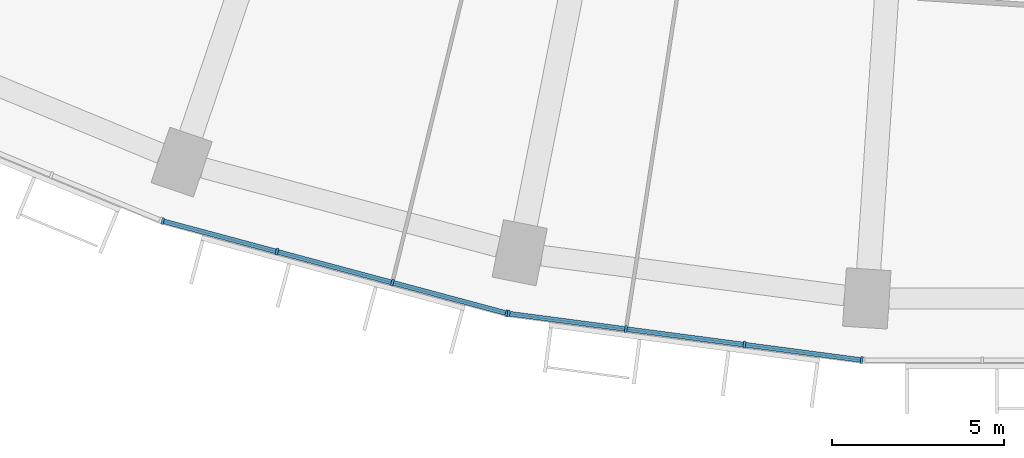
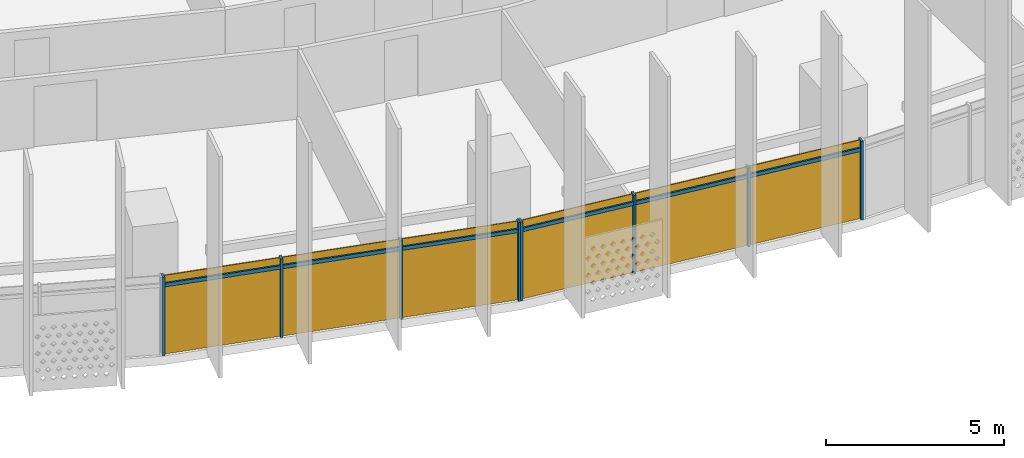
# One storey, part 20 of 33: 14 members, 2 curtain walls.
"""IFC4 building model written with IfcOpenShell, lengths in metres."""

from ifc_helpers import new_model, si_unit, direction, frame, origin, origin_2d, place, context, subcontext, project, spatial, rectangle, extrude, material, material_profile, profile_set, type_object, element, aggregate, save


model = new_model("IFC4")

# Units and contexts
model_context = context("Model", 3, precision=1e-05, world=origin(), true_north=direction((0.0, 1.0)))
body_context = subcontext(model_context, "Body", "Model", "MODEL_VIEW")
ifc_project = project(units=[si_unit("LENGTHUNIT", "METRE"), si_unit("AREAUNIT", "SQUARE_METRE"), si_unit("VOLUMEUNIT", "CUBIC_METRE"), si_unit("PLANEANGLEUNIT", "RADIAN"), si_unit("MASSUNIT", "GRAM", prefix="KILO")], contexts=[model_context])

# Member
ifc_material = material(Name="Aluminium 6063-T6 anodised", Category="aluminium")
ifc_material_profile_1 = material_profile(ifc_material, rectangle(XDim=0.199951171875, YDim=0.070068359375, at=origin_2d()))
ifc_profile_set_1 = profile_set([ifc_material_profile_1], Name="Aluminium 6063-T6 anodised")
member_type_1 = type_object("IfcMemberType", Name="Mullion 70 x 200 aluminium", PredefinedType="MULLION", material=ifc_profile_set_1)
site_placement = place(None, origin())
building_placement = place(site_placement, origin())
storey_placement = place(building_placement, frame((0.0, 0.0, 78.5)))
member_1_placement = place(storey_placement, frame((-25.54296875, -75.33544921875, 0.0), z_axis=(0.0, 0.0, 1.0), x_axis=(0.258819045103, 0.965925826289, 0.0)))
member_1 = element("IfcMember", 1, at=member_1_placement, type_object=member_type_1, Name="e-cw1-L16-out06/M00", PredefinedType="MULLION", context=body_context, shape_type="SweptSolid", body=[
    extrude(rectangle(XDim=0.199951171875, YDim=0.070068359375, at=origin_2d()), origin(), (0.0, 0.0, 1.0), 2.699951171875),
])

member_2_placement = place(storey_placement, frame((-22.22216796875, -76.225341796875, 0.0), z_axis=(0.0, 0.0, 1.0), x_axis=(0.258819045103, 0.965925826289, 0.0)))
member_2 = element("IfcMember", 2, at=member_2_placement, type_object=member_type_1, Name="e-cw1-L16-out06/M01", PredefinedType="MULLION", context=body_context, shape_type="SweptSolid", body=[
    extrude(rectangle(XDim=0.199951171875, YDim=0.070068359375, at=origin_2d()), origin(), (0.0, 0.0, 1.0), 2.699951171875),
])

member_3_placement = place(storey_placement, frame((-18.86767578125, -77.1240234375, 0.0), z_axis=(0.0, 0.0, 1.0), x_axis=(0.258819045103, 0.965925826289, 0.0)))
member_3 = element("IfcMember", 3, at=member_3_placement, type_object=member_type_1, Name="e-cw1-L16-out06/M02", PredefinedType="MULLION", context=body_context, shape_type="SweptSolid", body=[
    extrude(rectangle(XDim=0.199951171875, YDim=0.070068359375, at=origin_2d()), origin(), (0.0, 0.0, 1.0), 2.699951171875),
])

member_4_placement = place(storey_placement, frame((-15.546875, -78.013916015625, 0.0), z_axis=(0.0, 0.0, 1.0), x_axis=(0.258819045103, 0.965925826289, 0.0)))
member_4 = element("IfcMember", 4, at=member_4_placement, type_object=member_type_1, Name="e-cw1-L16-out06/M03", PredefinedType="MULLION", context=body_context, shape_type="SweptSolid", body=[
    extrude(rectangle(XDim=0.199951171875, YDim=0.070068359375, at=origin_2d()), origin(), (0.0, 0.0, 1.0), 2.699951171875),
])

member_5_placement = place(storey_placement, frame((-15.4912109375, -78.02490234375, 0.0), z_axis=(0.0, 0.0, 1.0), x_axis=(0.13052619222, 0.991444861374, 0.0)))
member_5 = element("IfcMember", 5, at=member_5_placement, type_object=member_type_1, Name="e-cw1-L16-out07/M00", PredefinedType="MULLION", context=body_context, shape_type="SweptSolid", body=[
    extrude(rectangle(XDim=0.199951171875, YDim=0.070068359375, at=origin_2d()), origin(), (0.0, 0.0, 1.0), 2.699951171875),
])

member_6_placement = place(storey_placement, frame((-12.082763671875, -78.4736328125, 0.0), z_axis=(0.0, 0.0, 1.0), x_axis=(0.13052619222, 0.991444861374, 0.0)))
member_6 = element("IfcMember", 6, at=member_6_placement, type_object=member_type_1, Name="e-cw1-L16-out07/M01", PredefinedType="MULLION", context=body_context, shape_type="SweptSolid", body=[
    extrude(rectangle(XDim=0.199951171875, YDim=0.070068359375, at=origin_2d()), origin(), (0.0, 0.0, 1.0), 2.699951171875),
])

member_7_placement = place(storey_placement, frame((-8.639404296875, -78.927001953125, 0.0), z_axis=(0.0, 0.0, 1.0), x_axis=(0.13052619222, 0.991444861374, 0.0)))
member_7 = element("IfcMember", 7, at=member_7_placement, type_object=member_type_1, Name="e-cw1-L16-out07/M02", PredefinedType="MULLION", context=body_context, shape_type="SweptSolid", body=[
    extrude(rectangle(XDim=0.199951171875, YDim=0.070068359375, at=origin_2d()), origin(), (0.0, 0.0, 1.0), 2.699951171875),
])

member_8_placement = place(storey_placement, frame((-5.23095703125, -79.375732421875, 0.0), z_axis=(0.0, 0.0, 1.0), x_axis=(0.13052619222, 0.991444861374, 0.0)))
member_8 = element("IfcMember", 8, at=member_8_placement, type_object=member_type_1, Name="e-cw1-L16-out07/M03", PredefinedType="MULLION", context=body_context, shape_type="SweptSolid", body=[
    extrude(rectangle(XDim=0.199951171875, YDim=0.070068359375, at=origin_2d()), origin(), (0.0, 0.0, 1.0), 2.699951171875),
])

ifc_material_profile_2 = material_profile(ifc_material, rectangle(XDim=0.139892578125, YDim=0.1201171875, at=origin_2d()))
ifc_profile_set_2 = profile_set([ifc_material_profile_2], Name="Aluminium 6063-T6 anodised")
member_type_2 = type_object("IfcMemberType", Name="Transom 120 x 140 aluminium", PredefinedType="USERDEFINED", material=ifc_profile_set_2)
member_9_placement = place(storey_placement, frame((-25.50927734375, -75.344482421875, 2.39990234375), z_axis=(0.965915368772, -0.258858069935, 0.0), x_axis=(0.258858069935, 0.965915368772, 0.0)))
member_9 = element("IfcMember", 9, at=member_9_placement, type_object=member_type_2, Name="e-cw1-L16-out06/T00", ObjectType="TRANSOM", PredefinedType="USERDEFINED", context=body_context, shape_type="SweptSolid", body=[
    extrude(rectangle(XDim=0.139892578125, YDim=0.1201171875, at=origin_2d()), origin(), (0.0, 0.0, 1.0), 3.367919921875),
])

member_10_placement = place(storey_placement, frame((-22.1884765625, -76.234375, 2.39990234375), z_axis=(0.965937804901, -0.258774336176, 0.0), x_axis=(0.258774336176, 0.965937804901, 0.0)))
member_10 = element("IfcMember", 10, at=member_10_placement, type_object=member_type_2, Name="e-cw1-L16-out06/T01", ObjectType="TRANSOM", PredefinedType="USERDEFINED", context=body_context, shape_type="SweptSolid", body=[
    extrude(rectangle(XDim=0.139892578125, YDim=0.1201171875, at=origin_2d()), origin(), (0.0, 0.0, 1.0), 3.403076171875),
])

member_11_placement = place(storey_placement, frame((-18.833740234375, -77.133056640625, 2.39990234375), z_axis=(0.965915368772, -0.258858069935, 0.0), x_axis=(0.258858069935, 0.965915368772, 0.0)))
member_11 = element("IfcMember", 11, at=member_11_placement, type_object=member_type_2, Name="e-cw1-L16-out06/T02", ObjectType="TRANSOM", PredefinedType="USERDEFINED", context=body_context, shape_type="SweptSolid", body=[
    extrude(rectangle(XDim=0.139892578125, YDim=0.1201171875, at=origin_2d()), origin(), (0.0, 0.0, 1.0), 3.367919921875),
])

member_12_placement = place(storey_placement, frame((-15.45654296875, -78.029541015625, 2.39990234375), z_axis=(0.9914412138, -0.130553895303, 0.0), x_axis=(0.130553895303, 0.9914412138, 0.0)))
member_12 = element("IfcMember", 12, at=member_12_placement, type_object=member_type_2, Name="e-cw1-L16-out07/T00", ObjectType="TRANSOM", PredefinedType="USERDEFINED", context=body_context, shape_type="SweptSolid", body=[
    extrude(rectangle(XDim=0.139892578125, YDim=0.1201171875, at=origin_2d()), origin(), (0.0, 0.0, 1.0), 3.367919921875),
])

member_13_placement = place(storey_placement, frame((-12.048095703125, -78.478271484375, 2.39990234375), z_axis=(0.991447700941, -0.130504621753, 0.0), x_axis=(0.130504621753, 0.991447700941, 0.0)))
member_13 = element("IfcMember", 13, at=member_13_placement, type_object=member_type_2, Name="e-cw1-L16-out07/T01", ObjectType="TRANSOM", PredefinedType="USERDEFINED", context=body_context, shape_type="SweptSolid", body=[
    extrude(rectangle(XDim=0.139892578125, YDim=0.1201171875, at=origin_2d()), origin(), (0.0, 0.0, 1.0), 3.40283203125),
])

member_14_placement = place(storey_placement, frame((-8.604736328125, -78.931640625, 2.39990234375), z_axis=(0.991450594138, -0.130482640159, 0.0), x_axis=(0.130482640159, 0.991450594138, 0.0)))
member_14 = element("IfcMember", 14, at=member_14_placement, type_object=member_type_2, Name="e-cw1-L16-out07/T02", ObjectType="TRANSOM", PredefinedType="USERDEFINED", context=body_context, shape_type="SweptSolid", body=[
    extrude(rectangle(XDim=0.139892578125, YDim=0.1201171875, at=origin_2d()), origin(), (0.0, 0.0, 1.0), 3.367919921875),
])

# Site, building, storey
site = spatial("IfcSite", under=ifc_project, at=site_placement, CompositionType="ELEMENT")
building = spatial("IfcBuilding", under=site, at=building_placement, Name="Qamariyya Broadcast Tower", CompositionType="ELEMENT")
storey = spatial("IfcBuildingStorey", under=building, at=storey_placement, Name="L16", CompositionType="ELEMENT", Elevation=78.5)

# Curtain wall
curtain_wall_type = type_object("IfcCurtainWallType", Name="Unitised curtain wall, anodised aluminium", PredefinedType="NOTDEFINED", material=ifc_material)
curtain_wall_1_placement = place(storey_placement, origin())
curtain_wall_1 = element("IfcCurtainWall", 15, at=curtain_wall_1_placement, inside=storey, type_object=curtain_wall_type, Name="e-cw1-L16-out06", PredefinedType="NOTDEFINED", context=body_context, shape_type="SweptSolid", body=[
    extrude(rectangle(XDim=3.367919921875, YDim=0.031982421875, at=origin_2d()), frame((-23.882568359375, -75.7802734375, 0.0), x_axis=(0.965925039578, -0.258821981129, 0.0)), (0.0, 0.0, 1.0), 2.340087890625),
    extrude(rectangle(XDim=3.367919921875, YDim=0.031982421875, at=origin_2d()), frame((-23.882568359375, -75.7802734375, 2.4599609375), x_axis=(0.965925039578, -0.258821981129, 0.0)), (0.0, 0.0, 1.0), 0.239990234375),
    extrude(rectangle(XDim=3.40283203125, YDim=0.031982421875, at=origin_2d()), frame((-20.544921875, -76.6748046875, 0.0), x_axis=(0.965925039578, -0.258821981129, 0.0)), (0.0, 0.0, 1.0), 2.340087890625),
    extrude(rectangle(XDim=3.40283203125, YDim=0.031982421875, at=origin_2d()), frame((-20.544921875, -76.6748046875, 2.4599609375), x_axis=(0.965925039578, -0.258821981129, 0.0)), (0.0, 0.0, 1.0), 0.239990234375),
    extrude(rectangle(XDim=3.367919921875, YDim=0.031982421875, at=origin_2d()), frame((-17.207275390625, -77.569091796875, 0.0), x_axis=(0.965925039578, -0.258821981129, 0.0)), (0.0, 0.0, 1.0), 2.340087890625),
    extrude(rectangle(XDim=3.367919921875, YDim=0.031982421875, at=origin_2d()), frame((-17.207275390625, -77.569091796875, 2.4599609375), x_axis=(0.965925039578, -0.258821981129, 0.0)), (0.0, 0.0, 1.0), 0.239990234375),
])

aggregate(curtain_wall_1, [member_1, member_2, member_3, member_4, member_9, member_10, member_11])

curtain_wall_2_placement = place(storey_placement, origin())
curtain_wall_2 = element("IfcCurtainWall", 16, at=curtain_wall_2_placement, inside=storey, type_object=curtain_wall_type, Name="e-cw1-L16-out07", PredefinedType="NOTDEFINED", context=body_context, shape_type="SweptSolid", body=[
    extrude(rectangle(XDim=3.367919921875, YDim=0.031982421875, at=origin_2d()), frame((-13.786865234375, -78.24951171875, 0.0), x_axis=(0.991445519925, -0.130521189931, 0.0)), (0.0, 0.0, 1.0), 2.340087890625),
    extrude(rectangle(XDim=3.367919921875, YDim=0.031982421875, at=origin_2d()), frame((-13.786865234375, -78.24951171875, 2.4599609375), x_axis=(0.991445519925, -0.130521189931, 0.0)), (0.0, 0.0, 1.0), 0.239990234375),
    extrude(rectangle(XDim=3.40283203125, YDim=0.031982421875, at=origin_2d()), frame((-10.361083984375, -78.700439453125, 0.0), x_axis=(0.991445519925, -0.130521189931, 0.0)), (0.0, 0.0, 1.0), 2.340087890625),
    extrude(rectangle(XDim=3.40283203125, YDim=0.031982421875, at=origin_2d()), frame((-10.361083984375, -78.700439453125, 2.4599609375), x_axis=(0.991445519925, -0.130521189931, 0.0)), (0.0, 0.0, 1.0), 0.239990234375),
    extrude(rectangle(XDim=3.367919921875, YDim=0.031982421875, at=origin_2d()), frame((-6.935302734375, -79.1513671875, 0.0), x_axis=(0.991445519925, -0.130521189931, 0.0)), (0.0, 0.0, 1.0), 2.340087890625),
    extrude(rectangle(XDim=3.367919921875, YDim=0.031982421875, at=origin_2d()), frame((-6.935302734375, -79.1513671875, 2.4599609375), x_axis=(0.991445519925, -0.130521189931, 0.0)), (0.0, 0.0, 1.0), 0.239990234375),
])

aggregate(curtain_wall_2, [member_5, member_6, member_7, member_8, member_12, member_13, member_14])

save(model, "model.ifc")
